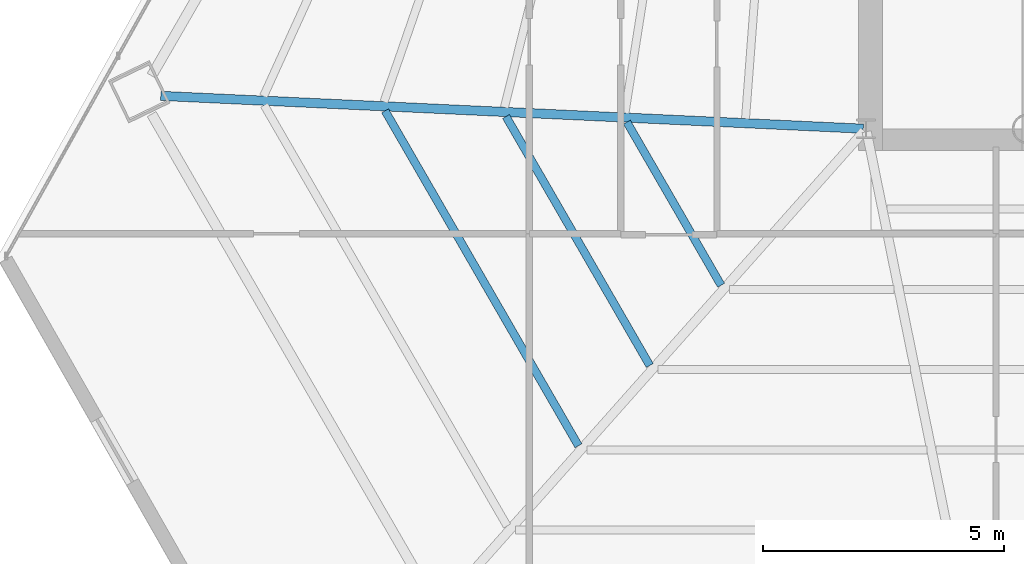
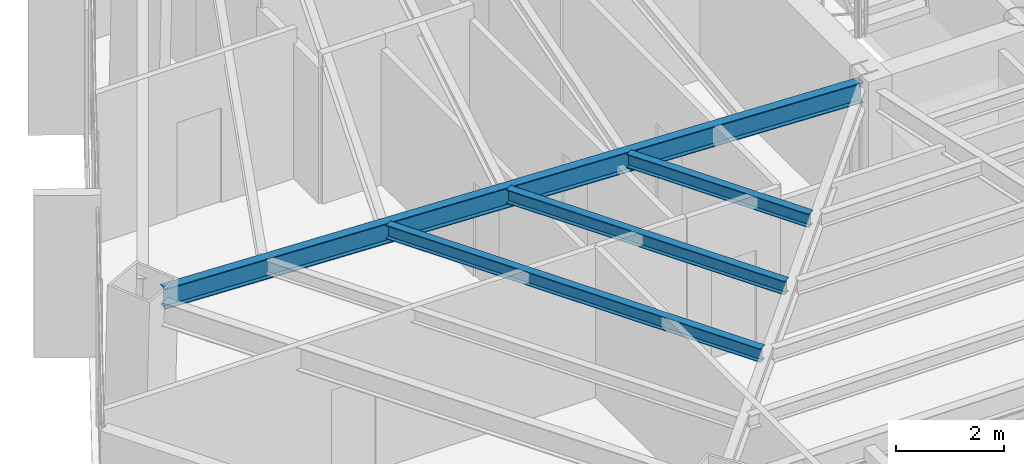
# One storey, part 7 of 38: 4 beams.
"""IFC4 building model written with IfcOpenShell, lengths in metres."""

import ifcopenshell
import ifcopenshell.guid

model = None  # the IFC model being written
_history = None  # IfcOwnerHistory: only IFC2X3 demands one
_inside = {}  # id of a spatial element -> (the spatial element, [elements in it])
_under = {}  # id of a project, library or spatial element -> (it, [spatial elements below it])
_declared = {}  # id of a project -> (the project, [libraries it declares])
_typed = {}  # id of a type object -> (the type object, [elements of that type])
_made_of = {}  # id of a material, layer set ... -> (it, [elements and type objects made of it])


def new_model(schema):
    """Start an empty IFC model of exactly this schema.

    Asked for "IFC4X3", IfcOpenShell would pick the latest addendum, in which some entities
    have other attributes; the version numbers below select the first issue.
    IFC2X3 requires an IfcOwnerHistory on every rooted entity: one is made here for all.
    """
    global model, _history
    if schema == "IFC4X3":
        model = ifcopenshell.file(schema_version=(4, 3, 0, 0))
    else:
        model = ifcopenshell.file(schema=schema)
    _inside.clear()
    _under.clear()
    _declared.clear()
    _typed.clear()
    _made_of.clear()
    _history = None
    if model.schema == "IFC2X3":
        org = make("IfcOrganization", Name="unknown")
        user = make(
            "IfcPersonAndOrganization",
            ThePerson=make("IfcPerson", FamilyName="unknown"),
            TheOrganization=org,
        )
        app = make(
            "IfcApplication",
            ApplicationDeveloper=org,
            Version="unknown",
            ApplicationFullName="unknown",
            ApplicationIdentifier="unknown",
        )
        _history = make(
            "IfcOwnerHistory",
            OwningUser=user,
            OwningApplication=app,
            ChangeAction="ADDED",
            CreationDate=0,
        )
    return model


def make(cls, **values):
    """One entity of the class cls with the attributes given. An attribute that is None is left unset."""
    return model.create_entity(
        cls, **{name: value for name, value in values.items() if value is not None}
    )


def rooted(cls, **values):
    """An entity with a GlobalId (a new one), such as an element, a storey or a relation."""
    return make(cls, GlobalId=ifcopenshell.guid.new(), OwnerHistory=_history, **values)


def si_unit(unit_type, name, prefix=None):
    """IfcSIUnit, for example si_unit("LENGTHUNIT", "METRE", prefix="MILLI")."""
    return make("IfcSIUnit", UnitType=unit_type, Prefix=prefix, Name=name)


def assignment(units):
    """IfcUnitAssignment: the units of a project."""
    return None if units is None else make("IfcUnitAssignment", Units=units)


def point(xyz):
    """IfcCartesianPoint."""
    return None if xyz is None else make("IfcCartesianPoint", Coordinates=xyz)


def direction(xyz):
    """IfcDirection."""
    return None if xyz is None else make("IfcDirection", DirectionRatios=xyz)


def frame(location, z_axis=None, x_axis=None):
    """IfcAxis2Placement3D, a coordinate frame: its origin and axes. An axis left out is left unset."""
    return make(
        "IfcAxis2Placement3D",
        Location=point(location),
        Axis=direction(z_axis),
        RefDirection=direction(x_axis),
    )


def frame_2d(location, x_axis=None):
    """IfcAxis2Placement2D, a coordinate frame in the plane: its origin and x axis."""
    return make(
        "IfcAxis2Placement2D", Location=point(location), RefDirection=direction(x_axis)
    )


def origin():
    """The frame at (0, 0, 0) with its axes left unset."""
    return frame((0.0, 0.0, 0.0))


def origin_2d():
    """The frame at (0, 0) in the plane with its x axis left unset."""
    return frame_2d((0.0, 0.0))


def place(relative_to, where):
    """IfcLocalPlacement: puts the frame where relative to a parent placement (None: the world)."""
    return make(
        "IfcLocalPlacement", PlacementRelTo=relative_to, RelativePlacement=where
    )


def context(
    kind, dimensions, precision=None, world=None, true_north=None, identifier=None
):
    """IfcGeometricRepresentationContext, for example the 3D "Model" context."""
    return make(
        "IfcGeometricRepresentationContext",
        ContextIdentifier=identifier,
        ContextType=kind,
        CoordinateSpaceDimension=dimensions,
        Precision=precision,
        WorldCoordinateSystem=world,
        TrueNorth=true_north,
    )


def subcontext(parent, identifier, kind, view, scale=None):
    """IfcGeometricRepresentationSubContext, for example "Body" below "Model"."""
    return make(
        "IfcGeometricRepresentationSubContext",
        ContextIdentifier=identifier,
        ContextType=kind,
        ParentContext=parent,
        TargetScale=scale,
        TargetView=view,
    )


def project(units=None, contexts=None):
    """IfcProject with its units and contexts."""
    return rooted(
        "IfcProject",
        Name="project",
        RepresentationContexts=contexts,
        UnitsInContext=assignment(units),
    )


def spatial(cls, under=None, at=None, **own):
    """A site, building, storey or space (cls), placed at a placement, below another one or the project."""
    s = rooted(cls, ObjectPlacement=at, **own)
    if under is not None:
        _under.setdefault(under.id(), (under, []))[1].append(s)
    return s


def profile(cls, at=None, kind="AREA", **sizes):
    """A parametric profile (cls). Its sizes go by their IFC names, for example OverallWidth=200.0."""
    return make(cls, ProfileType=kind, Position=at, **sizes)


def i_section(**sizes):
    """IfcIShapeProfileDef."""
    return profile("IfcIShapeProfileDef", **sizes)


def extrude(swept, where, along, depth):
    """IfcExtrudedAreaSolid: the profile swept, set in the frame where, extruded along a direction by depth."""
    return make(
        "IfcExtrudedAreaSolid",
        SweptArea=swept,
        Position=where,
        ExtrudedDirection=direction(along),
        Depth=depth,
    )


def shape(context_of_items, identifier, shape_type, items):
    """IfcShapeRepresentation: the items that make up one representation, for example the "Body"."""
    return make(
        "IfcShapeRepresentation",
        ContextOfItems=context_of_items,
        RepresentationIdentifier=identifier,
        RepresentationType=shape_type,
        Items=items,
    )


def source(mapping_origin, context_of_items, identifier, shape_type, items):
    """IfcRepresentationMap: a shape defined once, which mapped items show again and again."""
    return make(
        "IfcRepresentationMap",
        MappingOrigin=mapping_origin,
        MappedRepresentation=shape(context_of_items, identifier, shape_type, items),
    )


def transform(
    local_origin,
    x_axis=None,
    y_axis=None,
    z_axis=None,
    scale=None,
    scale2=None,
    scale3=None,
    uniform=True,
):
    """IfcCartesianTransformationOperator3D, or its non-uniform kind. x_axis, y_axis, z_axis: its Axis1, 2, 3."""
    if uniform:
        return make(
            "IfcCartesianTransformationOperator3D",
            Axis1=direction(x_axis),
            Axis2=direction(y_axis),
            LocalOrigin=point(local_origin),
            Scale=scale,
            Axis3=direction(z_axis),
        )
    return make(
        "IfcCartesianTransformationOperator3DnonUniform",
        Axis1=direction(x_axis),
        Axis2=direction(y_axis),
        LocalOrigin=point(local_origin),
        Scale=scale,
        Axis3=direction(z_axis),
        Scale2=scale2,
        Scale3=scale3,
    )


def mapped(mapping_source, mapping_target):
    """IfcMappedItem: shows the shape of a source again, moved by a transform."""
    return make(
        "IfcMappedItem", MappingSource=mapping_source, MappingTarget=mapping_target
    )


def material(Name=None, Category=None):
    """IfcMaterial."""
    return make("IfcMaterial", Name=Name, Category=Category)


def material_profile(
    of_material, cross_section, Name=None, Category=None, Priority=None
):
    """IfcMaterialProfile: a cross section and its material."""
    return make(
        "IfcMaterialProfile",
        Name=Name,
        Material=of_material,
        Profile=cross_section,
        Priority=Priority,
        Category=Category,
    )


def profile_set(profiles, Name=None, composite=None):
    """IfcMaterialProfileSet."""
    return make(
        "IfcMaterialProfileSet",
        Name=Name,
        MaterialProfiles=profiles,
        CompositeProfile=composite,
    )


def made_of(thing, what):
    """Note that an element or type object is made of a material, layer set ...; save() writes the relation."""
    if what is not None:
        _made_of.setdefault(what.id(), (what, []))[1].append(thing)
    return thing


def type_object(cls, material=None, **own):
    """A type object (cls), such as IfcWallType, which elements share."""
    return made_of(rooted(cls, **own), material)


def type_shapes(of_type, sources):
    """Give a type object the sources (RepresentationMaps) that its elements show as mapped items."""
    of_type.RepresentationMaps = sources


def element(
    cls,
    number,
    at=None,
    inside=None,
    cuts=None,
    type_object=None,
    material=None,
    context=None,
    identifier="Body",
    shape_type=None,
    held_by="IfcProductDefinitionShape",
    body=None,
    shapes=None,
    **own,
):
    """One element of the class cls, such as IfcWall. Its Tag is "e" and its number.

    at: its placement. inside: the storey or other place that contains it. cuts: it is an
    opening in that element (IfcRelVoidsElement). A single representation is given by context,
    identifier, shape_type and body (its items); several are given by shapes. held_by: the class
    of the entity that holds the representations. save() writes the other relations.
    """
    e = rooted(cls, Tag="e%d" % number, ObjectPlacement=at, **own)
    if body is not None:
        shapes = [shape(context, identifier, shape_type, body)]
    if shapes is not None:
        e.Representation = make(held_by, Representations=shapes)
    if inside is not None:
        _inside.setdefault(inside.id(), (inside, []))[1].append(e)
    if cuts is not None:
        rooted(
            "IfcRelVoidsElement", RelatingBuildingElement=cuts, RelatedOpeningElement=e
        )
    if type_object is not None:
        _typed.setdefault(type_object.id(), (type_object, []))[1].append(e)
    return made_of(e, material)


def aggregate(whole, parts):
    """IfcRelAggregates: a whole, such as a stair, and the parts it consists of."""
    return rooted("IfcRelAggregates", RelatingObject=whole, RelatedObjects=parts)


def save(model, path):
    """Write the relations noted so far, then the file.

    IfcRelAggregates (storeys below a building ...), IfcRelContainedInSpatialStructure (elements
    in a storey), IfcRelDefinesByType, IfcRelAssociatesMaterial and IfcRelDeclares: one each for
    every whole, place, type object, material and project.
    """
    for whole, parts in _under.values():
        aggregate(whole, parts)
    for where, things in _inside.values():
        rooted(
            "IfcRelContainedInSpatialStructure",
            RelatedElements=things,
            RelatingStructure=where,
        )
    for kind, things in _typed.values():
        rooted("IfcRelDefinesByType", RelatedObjects=things, RelatingType=kind)
    for what, things in _made_of.values():
        rooted("IfcRelAssociatesMaterial", RelatedObjects=things, RelatingMaterial=what)
    for by, libraries in _declared.values():
        rooted("IfcRelDeclares", RelatingContext=by, RelatedDefinitions=libraries)
    model.write(path)


model = new_model("IFC4")

# Units and contexts
model_context = context("Model", 3, precision=1e-05, world=origin(), true_north=direction((0.0, 1.0)))
body_context = subcontext(model_context, "Body", "Model", "MODEL_VIEW")
ifc_project = project(units=[si_unit("LENGTHUNIT", "METRE"), si_unit("AREAUNIT", "SQUARE_METRE"), si_unit("VOLUMEUNIT", "CUBIC_METRE"), si_unit("PLANEANGLEUNIT", "RADIAN"), si_unit("MASSUNIT", "GRAM", prefix="KILO")], contexts=[model_context])

# Site, building, storey
site_placement = place(None, origin())
site = spatial("IfcSite", under=ifc_project, at=site_placement, CompositionType="ELEMENT")
building_placement = place(site_placement, origin())
building = spatial("IfcBuilding", under=site, at=building_placement, Name="Caelisora Broadcast Tower", CompositionType="ELEMENT")
storey_placement = place(building_placement, frame((0.0, 0.0, 154.85009765625)))
storey = spatial("IfcBuildingStorey", under=building, at=storey_placement, Name="L40", CompositionType="ELEMENT", Elevation=154.85009765625)

# Beams
ifc_material = material(Name="Steel Grade 350 (AS/NZS 3679.1)", Category="steel")
ifc_material_profile_1 = material_profile(ifc_material, i_section(OverallWidth=0.19091796875, OverallDepth=0.46044921875, WebThickness=0.010009765625, FlangeThickness=0.01611328125, at=origin_2d()), Name="Steel Grade 350 (AS/NZS 3679.1)")
ifc_profile_set_1 = profile_set([ifc_material_profile_1], Name="Steel Grade 350 (AS/NZS 3679.1)")
beam_type_1 = type_object("IfcBeamType", Name="PG06", PredefinedType="BEAM", material=ifc_profile_set_1)
shared_shape_1 = source(origin(), body_context, "Body", "SweptSolid", [
    extrude(i_section(OverallWidth=0.19091796875, OverallDepth=0.46044921875, WebThickness=0.010009765625, FlangeThickness=0.01611328125, at=origin_2d()), origin(), (0.0, 0.0, 1.0), 14.616455078125),
])
type_shapes(beam_type_1, [shared_shape_1])
beam_1_placement = place(storey_placement, frame((30.440185546875, 17.40283203125, 3.169677734375), z_axis=(-0.998909658814, 0.04668504609, 0.0), x_axis=(-0.04668504609, -0.998909658814, 0.0)))
element("IfcBeam", 1, at=beam_1_placement, inside=storey, type_object=beam_type_1, Name="L40 beam PG06", PredefinedType="BEAM", context=body_context, shape_type="MappedRepresentation", body=[
    mapped(shared_shape_1, transform((0.0, 0.0, 0.0), scale=1.0)),
])
ifc_material_profile_2 = material_profile(ifc_material, i_section(OverallWidth=0.166015625, OverallDepth=0.30712890625, WebThickness=0.006591796875, FlangeThickness=0.01171875, at=origin_2d()), Name="Steel Grade 350 (AS/NZS 3679.1)")
ifc_profile_set_2 = profile_set([ifc_material_profile_2], Name="Steel Grade 350 (AS/NZS 3679.1)")
beam_type_2 = type_object("IfcBeamType", Name="SB03", PredefinedType="JOIST", material=ifc_profile_set_2)
shared_shape_2 = source(origin(), body_context, "Body", "SweptSolid", [
    extrude(i_section(OverallWidth=0.166015625, OverallDepth=0.30712890625, WebThickness=0.006591796875, FlangeThickness=0.01171875, at=origin_2d()), origin(), (0.0, 0.0, 1.0), 3.9150390625),
])
beam_2_placement = place(storey_placement, frame((25.528564453125, 17.539306640625, 3.246337890625), z_axis=(0.499988750281, -0.866031898715, 0.0), x_axis=(0.866031898715, 0.499988750281, 0.0)))
element("IfcBeam", 2, at=beam_2_placement, inside=storey, type_object=beam_type_2, Name="L40 beam SB03", PredefinedType="JOIST", context=body_context, shape_type="MappedRepresentation", body=[
    mapped(shared_shape_2, transform((0.0, 0.0, 0.0), scale=1.0)),
])
shared_shape_3 = source(origin(), body_context, "Body", "SweptSolid", [
    extrude(i_section(OverallWidth=0.166015625, OverallDepth=0.30712890625, WebThickness=0.006591796875, FlangeThickness=0.01171875, at=origin_2d()), origin(), (0.0, 0.0, 1.0), 5.976318359375),
])
beam_3_placement = place(storey_placement, frame((23.015380859375, 17.65673828125, 3.246337890625), z_axis=(0.499974701609, -0.866040009324, 0.0), x_axis=(0.866040009324, 0.499974701609, 0.0)))
element("IfcBeam", 3, at=beam_3_placement, inside=storey, type_object=beam_type_2, Name="L40 beam SB03", PredefinedType="JOIST", context=body_context, shape_type="MappedRepresentation", body=[
    mapped(shared_shape_3, transform((0.0, 0.0, 0.0), scale=1.0)),
])
shared_shape_4 = source(origin(), body_context, "Body", "SweptSolid", [
    extrude(i_section(OverallWidth=0.166015625, OverallDepth=0.30712890625, WebThickness=0.006591796875, FlangeThickness=0.01171875, at=origin_2d()), origin(), (0.0, 0.0, 1.0), 8.0380859375),
])
type_shapes(beam_type_2, [shared_shape_2, shared_shape_3, shared_shape_4])
beam_4_placement = place(storey_placement, frame((20.501953125, 17.774169921875, 3.246337890625), z_axis=(0.500000268222, -0.866025248926, 0.0), x_axis=(0.866025248926, 0.500000268222, 0.0)))
element("IfcBeam", 4, at=beam_4_placement, inside=storey, type_object=beam_type_2, Name="L40 beam SB03", PredefinedType="JOIST", context=body_context, shape_type="MappedRepresentation", body=[
    mapped(shared_shape_4, transform((0.0, 0.0, 0.0), scale=1.0)),
])

save(model, "model.ifc")
